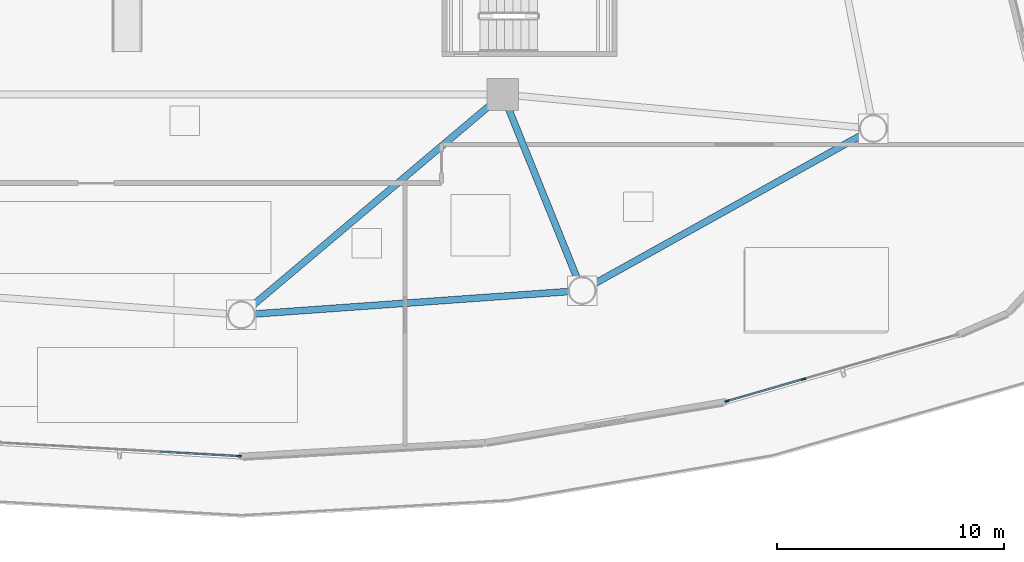
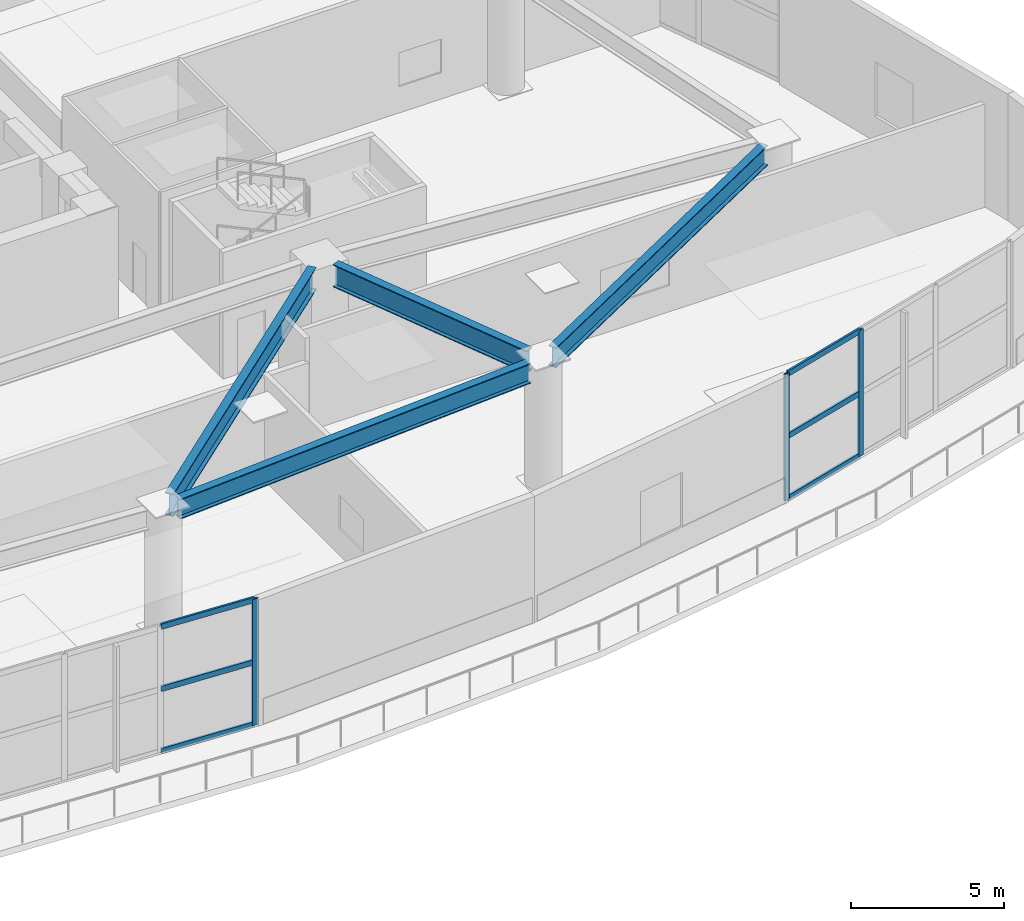
# One storey, part 4 of 25: 9 members, 4 beams, 2 elements without a shape of their own.
"""IFC4 building model written with IfcOpenShell, lengths in metres."""

from ifc_helpers import new_model, si_unit, direction, frame, origin, origin_2d, place, context, subcontext, project, spatial, hollow_rectangle, i_section, extrude, source, transform, mapped, material, layer, layer_set, material_profile, profile_set, type_object, type_shapes, element, aggregate, save


model = new_model("IFC4")

# Units and contexts
model_context = context("Model", 3, precision=1e-05, world=origin(), true_north=direction((0.0, 1.0)))
body_context = subcontext(model_context, "Body", "Model", "MODEL_VIEW")
ifc_project = project(units=[si_unit("LENGTHUNIT", "METRE"), si_unit("AREAUNIT", "SQUARE_METRE"), si_unit("VOLUMEUNIT", "CUBIC_METRE"), si_unit("PLANEANGLEUNIT", "RADIAN"), si_unit("MASSUNIT", "GRAM", prefix="KILO")], contexts=[model_context])

# Site, building, storey
site_placement = place(None, origin())
site = spatial("IfcSite", under=ifc_project, at=site_placement, CompositionType="ELEMENT")
building_placement = place(site_placement, origin())
building = spatial("IfcBuilding", under=site, at=building_placement, Name="Tavelor Broadcast Tower", CompositionType="ELEMENT")
storey_placement = place(building_placement, frame((0.0, 0.0, 11.39990234375)))
storey = spatial("IfcBuildingStorey", under=building, at=storey_placement, Name="L02", CompositionType="ELEMENT", Elevation=11.39990234375)

# Beams
ifc_material_1 = material(Name="Steel S355", Category="steel")
ifc_material_profile_1 = material_profile(ifc_material_1, i_section(OverallWidth=0.300048828125, OverallDepth=0.800048828125, WebThickness=0.017578125, FlangeThickness=0.032958984375, at=origin_2d()), Name="HEB 800")
ifc_profile_set_1 = profile_set([ifc_material_profile_1], Name="Steel S355")
beam_type_1 = type_object("IfcBeamType", Name="Podium Spandrel Beam HEB800", PredefinedType="SPANDREL", material=ifc_profile_set_1)
beam_1_placement = place(storey_placement, frame((50.57861328125, 22.84130859375, 4.650146484375), z_axis=(0.997456822591, 0.07127332647, 0.0), x_axis=(-0.07127332647, 0.997456822591, 0.0)))
element("IfcBeam", 1, at=beam_1_placement, inside=storey, type_object=beam_type_1, Name="L02 Podium Spandrel Girder 7", PredefinedType="SPANDREL", context=body_context, shape_type="SweptSolid", body=[
    extrude(i_section(OverallWidth=0.300048828125, OverallDepth=0.800048828125, WebThickness=0.017578125, FlangeThickness=0.032958984375, at=origin_2d()), origin(), (0.0, 0.0, 1.0), 13.865966796875),
])
beam_2_placement = place(storey_placement, frame((65.49462890625, 24.153076171875, 4.650146484375), z_axis=(0.873837244076, 0.486218542289, 0.0), x_axis=(-0.486218542289, 0.873837244076, 0.0)))
element("IfcBeam", 2, at=beam_2_placement, inside=storey, type_object=beam_type_1, Name="L02 Podium Spandrel Girder 8", PredefinedType="SPANDREL", context=body_context, shape_type="SweptSolid", body=[
    extrude(i_section(OverallWidth=0.300048828125, OverallDepth=0.800048828125, WebThickness=0.017578125, FlangeThickness=0.032958984375, at=origin_2d()), origin(), (0.0, 0.0, 1.0), 13.501953125),
])
ifc_material_2 = material(Name="Steel S460", Category="steel")
ifc_material_profile_2 = material_profile(ifc_material_2, i_section(OverallWidth=0.300048828125, OverallDepth=0.89990234375, WebThickness=0.0185546875, FlangeThickness=0.034912109375, at=origin_2d()), Name="HEB 900")
ifc_profile_set_2 = profile_set([ifc_material_profile_2], Name="Steel S460")
beam_type_2 = type_object("IfcBeamType", Name="Studio Long-Span Girder HEB900", PredefinedType="BEAM", material=ifc_profile_set_2)
beam_3_placement = place(storey_placement, frame((60.980224609375, 32.0615234375, 4.60009765625), z_axis=(-0.764399771003, -0.644742576608, 0.0), x_axis=(0.644742576608, -0.764399771003, 0.0)))
element("IfcBeam", 3, at=beam_3_placement, inside=storey, type_object=beam_type_2, Name="L02 Clear-Span Studio Girder 7", PredefinedType="BEAM", context=body_context, shape_type="SweptSolid", body=[
    extrude(i_section(OverallWidth=0.300048828125, OverallDepth=0.89990234375, WebThickness=0.0185546875, FlangeThickness=0.034912109375, at=origin_2d()), origin(), (0.0, 0.0, 1.0), 13.784423828125),
])
beam_4_placement = place(storey_placement, frame((61.7548828125, 31.86962890625, 4.60009765625), z_axis=(0.374735912078, -0.927131595945, 0.0), x_axis=(0.927131595945, 0.374735912078, 0.0)))
element("IfcBeam", 4, at=beam_4_placement, inside=storey, type_object=beam_type_2, Name="L02 Clear-Span Studio Girder 8", PredefinedType="BEAM", context=body_context, shape_type="SweptSolid", body=[
    extrude(i_section(OverallWidth=0.300048828125, OverallDepth=0.89990234375, WebThickness=0.0185546875, FlangeThickness=0.034912109375, at=origin_2d()), origin(), (0.0, 0.0, 1.0), 8.04736328125),
])

# Curtain wall, member
ifc_material_3 = material(Name="Architectural Anodized Aluminium", Category="aluminium")
ifc_layer = layer(ifc_material_3, 0.219970703125)
ifc_layer_set = layer_set([ifc_layer], Name="Architectural Anodized Aluminium")
curtain_wall_type = type_object("IfcCurtainWallType", Name="Podium Double-Height Broadcast Curtain Wall CW01", PredefinedType="NOTDEFINED", material=ifc_layer_set)
curtain_wall_1_placement = place(storey_placement, origin())
curtain_wall_1 = element("IfcCurtainWall", 5, at=curtain_wall_1_placement, inside=storey, type_object=curtain_wall_type, Name="L02 Curtain Wall CW01 Run 9", PredefinedType="NOTDEFINED")
ifc_material_profile_3 = material_profile(ifc_material_3, hollow_rectangle(XDim=0.074951171875, YDim=0.219970703125, WallThickness=0.02197265625, at=origin_2d()), Name="RHS 75x220x22")
ifc_profile_set_3 = profile_set([ifc_material_profile_3], Name="Architectural Anodized Aluminium")
member_type_1 = type_object("IfcMemberType", Name="CW01 Extruded Aluminium Mullion 75x220", PredefinedType="MULLION", material=ifc_profile_set_3)
shared_shape_1 = source(origin(), body_context, "Body", "SweptSolid", [
    extrude(hollow_rectangle(XDim=0.074951171875, YDim=0.219970703125, WallThickness=0.02197265625, at=origin_2d()), origin(), (0.0, 0.0, 1.0), 5.050048828125),
])
type_shapes(member_type_1, [shared_shape_1])
member_1_placement = place(storey_placement, frame((49.882568359375, 16.58544921875, 0.0), z_axis=(0.0, 0.0, 1.0), x_axis=(0.056103210648, 0.998424974525, 0.0)))
member_1 = element("IfcMember", 6, at=member_1_placement, type_object=member_type_1, Name="CW01 mullion 4", PredefinedType="MULLION", context=body_context, shape_type="MappedRepresentation", body=[
    mapped(shared_shape_1, transform((0.0, 0.0, 0.0), scale=1.0)),
])

# Curtain wall, members
curtain_wall_2_placement = place(storey_placement, origin())
curtain_wall_2 = element("IfcCurtainWall", 7, at=curtain_wall_2_placement, inside=storey, type_object=curtain_wall_type, Name="L02 Curtain Wall CW01 Run 10", PredefinedType="NOTDEFINED")
member_2_placement = place(storey_placement, frame((71.379150390625, 19.0087890625, 0.0), z_axis=(0.0, 0.0, 1.0), x_axis=(-0.276977495528, 0.960876405669, 0.0)))
member_2 = element("IfcMember", 8, at=member_2_placement, type_object=member_type_1, Name="CW01 mullion 1", PredefinedType="MULLION", context=body_context, shape_type="MappedRepresentation", body=[
    mapped(shared_shape_1, transform((0.0, 0.0, 0.0), scale=1.0)),
])
member_3_placement = place(storey_placement, frame((74.72412109375, 19.97314453125, 0.0), z_axis=(0.0, 0.0, 1.0), x_axis=(-0.276977495528, 0.960876405669, 0.0)))
member_3 = element("IfcMember", 9, at=member_3_placement, type_object=member_type_1, Name="CW01 mullion 2", PredefinedType="MULLION", context=body_context, shape_type="MappedRepresentation", body=[
    mapped(shared_shape_1, transform((0.0, 0.0, 0.0), scale=1.0)),
])
ifc_material_profile_4 = material_profile(ifc_material_3, hollow_rectangle(XDim=0.074951171875, YDim=0.219970703125, WallThickness=0.02197265625, at=origin_2d()), Name="RHS 75x220x22")
ifc_profile_set_4 = profile_set([ifc_material_profile_4], Name="Architectural Anodized Aluminium")
member_type_2 = type_object("IfcMemberType", Name="CW01 Extruded Aluminium Transom 75x220", PredefinedType="USERDEFINED", material=ifc_profile_set_4)
shared_shape_2 = source(origin(), body_context, "Body", "SweptSolid", [
    extrude(hollow_rectangle(XDim=0.074951171875, YDim=0.219970703125, WallThickness=0.02197265625, at=origin_2d()), origin(), (0.0, 0.0, 1.0), 3.40625),
])
member_4_placement = place(storey_placement, frame((71.415283203125, 19.019287109375, 0.03759765625), z_axis=(0.960883033627, 0.276954501114, 0.0), x_axis=(-0.276954501114, 0.960883033627, 0.0)))
member_4 = element("IfcMember", 10, at=member_4_placement, type_object=member_type_2, Name="CW01 transom 1.1", ObjectType="TRANSOM", PredefinedType="USERDEFINED", context=body_context, shape_type="MappedRepresentation", body=[
    mapped(shared_shape_2, transform((0.0, 0.0, 0.0), scale=1.0)),
])
member_5_placement = place(storey_placement, frame((71.415283203125, 19.019287109375, 2.525146484375), z_axis=(0.960883033627, 0.276954501114, 0.0), x_axis=(-0.276954501114, 0.960883033627, 0.0)))
member_5 = element("IfcMember", 11, at=member_5_placement, type_object=member_type_2, Name="CW01 transom 1.2", ObjectType="TRANSOM", PredefinedType="USERDEFINED", context=body_context, shape_type="MappedRepresentation", body=[
    mapped(shared_shape_2, transform((0.0, 0.0, 0.0), scale=1.0)),
])
member_6_placement = place(storey_placement, frame((71.415283203125, 19.019287109375, 5.0126953125), z_axis=(0.960883033627, 0.276954501114, 0.0), x_axis=(-0.276954501114, 0.960883033627, 0.0)))
member_6 = element("IfcMember", 12, at=member_6_placement, type_object=member_type_2, Name="CW01 transom 1.3", ObjectType="TRANSOM", PredefinedType="USERDEFINED", context=body_context, shape_type="MappedRepresentation", body=[
    mapped(shared_shape_2, transform((0.0, 0.0, 0.0), scale=1.0)),
])
aggregate(curtain_wall_2, [member_2, member_3, member_4, member_5, member_6])

# Member
shared_shape_3 = source(origin(), body_context, "Body", "SweptSolid", [
    extrude(hollow_rectangle(XDim=0.074951171875, YDim=0.219970703125, WallThickness=0.02197265625, at=origin_2d()), origin(), (0.0, 0.0, 1.0), 3.406494140625),
])
type_shapes(member_type_2, [shared_shape_2, shared_shape_3])
member_7_placement = place(storey_placement, frame((46.444091796875, 16.778564453125, 0.03759765625), z_axis=(0.998424198692, -0.056117015833, 0.0), x_axis=(0.056117015833, 0.998424198692, 0.0)))
member_7 = element("IfcMember", 13, at=member_7_placement, type_object=member_type_2, Name="CW01 transom 3.1", ObjectType="TRANSOM", PredefinedType="USERDEFINED", context=body_context, shape_type="MappedRepresentation", body=[
    mapped(shared_shape_3, transform((0.0, 0.0, 0.0), scale=1.0)),
])

member_8_placement = place(storey_placement, frame((46.444091796875, 16.778564453125, 2.525146484375), z_axis=(0.998424198692, -0.056117015833, 0.0), x_axis=(0.056117015833, 0.998424198692, 0.0)))
member_8 = element("IfcMember", 14, at=member_8_placement, type_object=member_type_2, Name="CW01 transom 3.2", ObjectType="TRANSOM", PredefinedType="USERDEFINED", context=body_context, shape_type="MappedRepresentation", body=[
    mapped(shared_shape_3, transform((0.0, 0.0, 0.0), scale=1.0)),
])

member_9_placement = place(storey_placement, frame((46.444091796875, 16.778564453125, 5.0126953125), z_axis=(0.998424198692, -0.056117015833, 0.0), x_axis=(0.056117015833, 0.998424198692, 0.0)))
member_9 = element("IfcMember", 15, at=member_9_placement, type_object=member_type_2, Name="CW01 transom 3.3", ObjectType="TRANSOM", PredefinedType="USERDEFINED", context=body_context, shape_type="MappedRepresentation", body=[
    mapped(shared_shape_3, transform((0.0, 0.0, 0.0), scale=1.0)),
])

aggregate(curtain_wall_1, [member_1, member_7, member_8, member_9])

save(model, "model.ifc")
